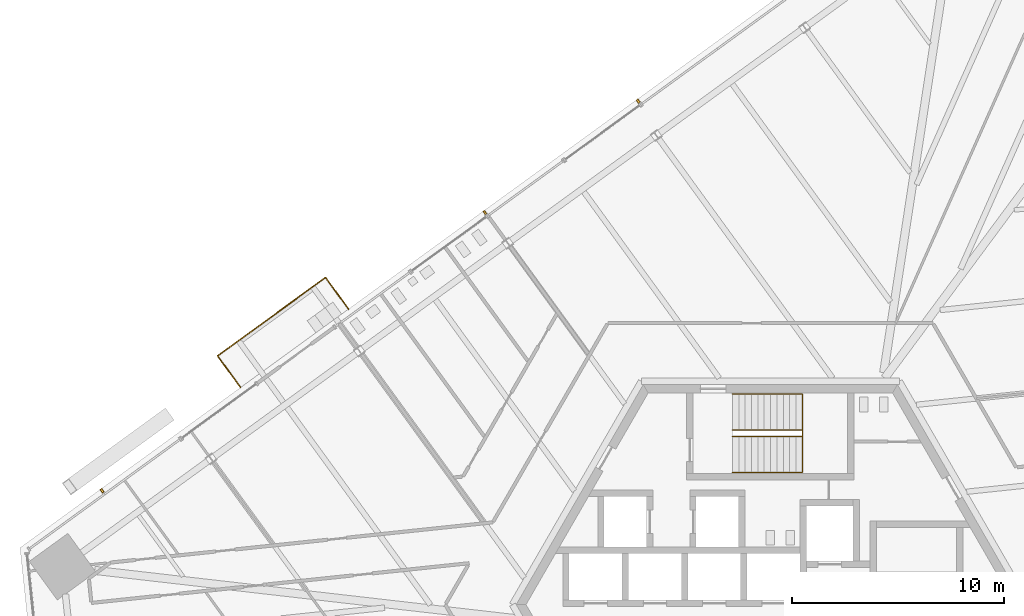
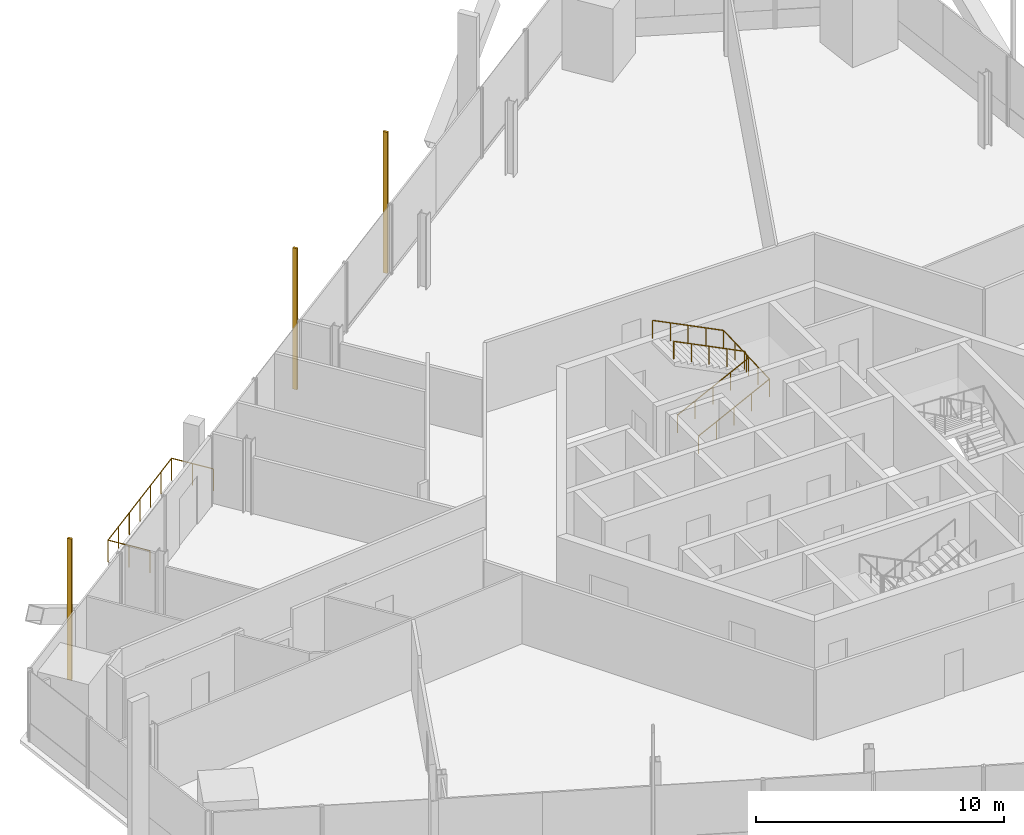
# One storey, part 17 of 21: 3 railings, 3 shading devices.
"""IFC4 building model written with IfcOpenShell, lengths in metres."""

from ifc_helpers import new_model, si_unit, direction, frame, origin, origin_2d, place, context, subcontext, project, spatial, rectangle, circle, extrude, source, transform, mapped, material, type_object, element, save


model = new_model("IFC4")

# Units and contexts
model_context = context("Model", 3, precision=1e-05, world=origin(), true_north=direction((0.0, 1.0)))
body_context = subcontext(model_context, "Body", "Model", "MODEL_VIEW")
ifc_project = project(units=[si_unit("LENGTHUNIT", "METRE"), si_unit("AREAUNIT", "SQUARE_METRE"), si_unit("VOLUMEUNIT", "CUBIC_METRE"), si_unit("PLANEANGLEUNIT", "RADIAN"), si_unit("MASSUNIT", "GRAM", prefix="KILO")], contexts=[model_context])

# Site, building, storey
site_placement = place(None, origin())
site = spatial("IfcSite", under=ifc_project, at=site_placement, CompositionType="ELEMENT")
building_placement = place(site_placement, origin())
building = spatial("IfcBuilding", under=site, at=building_placement, Name="Triune Harvest Tower", CompositionType="ELEMENT")
storey_placement = place(building_placement, frame((0.0, 0.0, 87.300048828125)))
storey = spatial("IfcBuildingStorey", under=building, at=storey_placement, Name="L21", CompositionType="ELEMENT", Elevation=87.300048828125)

# Railings
ifc_material_1 = material(Name="Stainless steel AISI 316", Category="steel")
railing_type_1 = type_object("IfcRailingType", Name="Stair handrail", PredefinedType="HANDRAIL", material=ifc_material_1)
shared_shape_1 = source(origin(), body_context, "Body", "SweptSolid", [
    extrude(circle(Radius=0.02392578125, at=origin_2d()), frame((0.0, 0.0, 0.8759765625), z_axis=(0.894413956696, 0.0, 0.447240063129), x_axis=(0.0, 1.0, 0.0)), (0.0, 0.0, 1.0), 3.689697265625),
    extrude(circle(Radius=0.02392578125, at=origin_2d()), frame((3.300048828125, 0.0, 2.52587890625), z_axis=(0.0, 0.999180289278, 0.040481471304), x_axis=(-1.0, 0.0, 0.0)), (0.0, 0.0, 1.0), 3.702880859375),
    extrude(circle(Radius=0.02392578125, at=origin_2d()), frame((3.300048828125, 3.699951171875, 2.67578125), z_axis=(-0.894440424912, 0.0, 0.447187126696), x_axis=(0.0, -1.0, 0.0)), (0.0, 0.0, 1.0), 3.689453125),
    extrude(circle(Radius=0.02099609375, at=origin_2d()), origin(), (0.0, 0.0, 1.0), 0.851806640625),
    extrude(circle(Radius=0.02099609375, at=origin_2d()), frame((0.824951171875, 0.0, 0.41259765625)), (0.0, 0.0, 1.0), 0.851806640625),
    extrude(circle(Radius=0.02099609375, at=origin_2d()), frame((1.64990234375, 0.0, 0.8251953125)), (0.0, 0.0, 1.0), 0.851806640625),
    extrude(circle(Radius=0.02099609375, at=origin_2d()), frame((2.47509765625, 0.0, 1.237548828125)), (0.0, 0.0, 1.0), 0.851806640625),
    extrude(circle(Radius=0.02099609375, at=origin_2d()), frame((3.300048828125, 0.0, 1.650146484375)), (0.0, 0.0, 1.0), 0.851806640625),
    extrude(circle(Radius=0.02099609375, at=origin_2d()), frame((3.300048828125, 0.925048828125, 1.6875)), (0.0, 0.0, 1.0), 0.851806640625),
    extrude(circle(Radius=0.02099609375, at=origin_2d()), frame((3.300048828125, 1.85009765625, 1.72509765625)), (0.0, 0.0, 1.0), 0.851806640625),
    extrude(circle(Radius=0.02099609375, at=origin_2d()), frame((3.300048828125, 2.77490234375, 1.7626953125)), (0.0, 0.0, 1.0), 0.851806640625),
    extrude(circle(Radius=0.02099609375, at=origin_2d()), frame((3.300048828125, 3.699951171875, 1.800048828125)), (0.0, 0.0, 1.0), 0.851806640625),
    extrude(circle(Radius=0.02099609375, at=origin_2d()), frame((2.47509765625, 3.699951171875, 2.21240234375)), (0.0, 0.0, 1.0), 0.851806640625),
    extrude(circle(Radius=0.02099609375, at=origin_2d()), frame((1.64990234375, 3.699951171875, 2.625)), (0.0, 0.0, 1.0), 0.851806640625),
    extrude(circle(Radius=0.02099609375, at=origin_2d()), frame((0.824951171875, 3.699951171875, 3.03759765625)), (0.0, 0.0, 1.0), 0.851806640625),
    extrude(circle(Radius=0.02099609375, at=origin_2d()), frame((0.0, 3.699951171875, 3.449951171875)), (0.0, 0.0, 1.0), 0.851806640625),
])
railing_1_placement = place(storey_placement, frame((-1.7900390625, 6.239990234375, 0.14990234375)))
element("IfcRailing", 1, at=railing_1_placement, inside=storey, type_object=railing_type_1, Name="Exit stair north wall handrail", PredefinedType="HANDRAIL", context=body_context, shape_type="MappedRepresentation", body=[
    mapped(shared_shape_1, transform((0.0, 0.0, 0.0), scale=1.0)),
])
shared_shape_2 = source(origin(), body_context, "Body", "SweptSolid", [
    extrude(circle(Radius=0.02392578125, at=origin_2d()), frame((0.0, 0.0, 0.8759765625), z_axis=(0.894413956696, 0.0, 0.447240063129), x_axis=(0.0, 1.0, 0.0)), (0.0, 0.0, 1.0), 3.689697265625),
    extrude(circle(Radius=0.02392578125, at=origin_2d()), frame((3.300048828125, 0.0, 2.52587890625), z_axis=(0.0, 0.894572720946, 0.446922417137), x_axis=(-1.0, 0.0, 0.0)), (0.0, 0.0, 1.0), 0.33544921875),
    extrude(circle(Radius=0.02392578125, at=origin_2d()), frame((3.300048828125, 0.300048828125, 2.67578125), z_axis=(-0.894440424912, 0.0, 0.447187126696), x_axis=(0.0, -1.0, 0.0)), (0.0, 0.0, 1.0), 3.689453125),
    extrude(circle(Radius=0.02099609375, at=origin_2d()), origin(), (0.0, 0.0, 1.0), 0.851806640625),
    extrude(circle(Radius=0.02099609375, at=origin_2d()), frame((0.824951171875, 0.0, 0.41259765625)), (0.0, 0.0, 1.0), 0.851806640625),
    extrude(circle(Radius=0.02099609375, at=origin_2d()), frame((1.64990234375, 0.0, 0.8251953125)), (0.0, 0.0, 1.0), 0.851806640625),
    extrude(circle(Radius=0.02099609375, at=origin_2d()), frame((2.47509765625, 0.0, 1.237548828125)), (0.0, 0.0, 1.0), 0.851806640625),
    extrude(circle(Radius=0.02099609375, at=origin_2d()), frame((3.300048828125, 0.0, 1.650146484375)), (0.0, 0.0, 1.0), 0.851806640625),
    extrude(circle(Radius=0.02099609375, at=origin_2d()), frame((3.300048828125, 0.300048828125, 1.800048828125)), (0.0, 0.0, 1.0), 0.851806640625),
    extrude(circle(Radius=0.02099609375, at=origin_2d()), frame((2.47509765625, 0.300048828125, 2.21240234375)), (0.0, 0.0, 1.0), 0.851806640625),
    extrude(circle(Radius=0.02099609375, at=origin_2d()), frame((1.64990234375, 0.300048828125, 2.625)), (0.0, 0.0, 1.0), 0.851806640625),
    extrude(circle(Radius=0.02099609375, at=origin_2d()), frame((0.824951171875, 0.300048828125, 3.03759765625)), (0.0, 0.0, 1.0), 0.851806640625),
    extrude(circle(Radius=0.02099609375, at=origin_2d()), frame((0.0, 0.300048828125, 3.449951171875)), (0.0, 0.0, 1.0), 0.851806640625),
])
railing_2_placement = place(storey_placement, frame((-1.7900390625, 7.93994140625, 0.14990234375)))
element("IfcRailing", 2, at=railing_2_placement, inside=storey, type_object=railing_type_1, Name="Exit stair north centre handrail", PredefinedType="HANDRAIL", context=body_context, shape_type="MappedRepresentation", body=[
    mapped(shared_shape_2, transform((0.0, 0.0, 0.0), scale=1.0)),
])
ifc_material_2 = material(Name="Glass", Category="glass")
railing_type_2 = type_object("IfcRailingType", Name="GD-2 balcony guard 1100", PredefinedType="GUARDRAIL", material=ifc_material_2)
shared_shape_3 = source(origin(), body_context, "Body", "SweptSolid", [
    extrude(circle(Radius=0.02392578125, at=origin_2d()), frame((0.0, 0.0, 1.076171875), z_axis=(-0.587754546485, 0.809039302559, 0.0), x_axis=(-0.809039302559, -0.587754546485, 0.0)), (0.0, 0.0, 1.0), 1.8447265625),
    extrude(circle(Radius=0.02392578125, at=origin_2d()), frame((-1.084228515625, 1.492431640625, 1.076171875), z_axis=(-0.809029173317, -0.587768489052, 0.0), x_axis=(0.587768489052, -0.809029173317, 0.0)), (0.0, 0.0, 1.0), 6.301513671875),
    extrude(circle(Radius=0.02392578125, at=origin_2d()), frame((-6.182373046875, -2.21142578125, 1.076171875), z_axis=(0.587754546485, -0.809039302559, 0.0), x_axis=(0.809039302559, 0.587754546485, 0.0)), (0.0, 0.0, 1.0), 1.8447265625),
    extrude(circle(Radius=0.02099609375, at=origin_2d()), origin(), (0.0, 0.0, 1.0), 1.052001953125),
    extrude(circle(Radius=0.02099609375, at=origin_2d()), frame((-0.5419921875, 0.74609375, 0.0)), (0.0, 0.0, 1.0), 1.052001953125),
    extrude(circle(Radius=0.02099609375, at=origin_2d()), frame((-1.084228515625, 1.492431640625, 0.0)), (0.0, 0.0, 1.0), 1.052001953125),
    extrude(circle(Radius=0.02099609375, at=origin_2d()), frame((-1.933837890625, 0.875, 0.0)), (0.0, 0.0, 1.0), 1.052001953125),
    extrude(circle(Radius=0.02099609375, at=origin_2d()), frame((-2.78369140625, 0.2578125, 0.0)), (0.0, 0.0, 1.0), 1.052001953125),
    extrude(circle(Radius=0.02099609375, at=origin_2d()), frame((-3.63330078125, -0.359375, 0.0)), (0.0, 0.0, 1.0), 1.052001953125),
    extrude(circle(Radius=0.02099609375, at=origin_2d()), frame((-4.48291015625, -0.976806640625, 0.0)), (0.0, 0.0, 1.0), 1.052001953125),
    extrude(circle(Radius=0.02099609375, at=origin_2d()), frame((-5.332763671875, -1.59423828125, 0.0)), (0.0, 0.0, 1.0), 1.052001953125),
    extrude(circle(Radius=0.02099609375, at=origin_2d()), frame((-6.182373046875, -2.21142578125, 0.0)), (0.0, 0.0, 1.0), 1.052001953125),
    extrude(circle(Radius=0.02099609375, at=origin_2d()), frame((-5.64013671875, -2.95751953125, 0.0)), (0.0, 0.0, 1.0), 1.052001953125),
    extrude(circle(Radius=0.02099609375, at=origin_2d()), frame((-5.09814453125, -3.703857421875, 0.0)), (0.0, 0.0, 1.0), 1.052001953125),
])
railing_3_placement = place(storey_placement, frame((-19.9189453125, 13.954833984375, 0.0)))
element("IfcRailing", 3, at=railing_3_placement, inside=storey, type_object=railing_type_2, Name="Balcony guard B2-F3 L21.9", PredefinedType="GUARDRAIL", context=body_context, shape_type="MappedRepresentation", body=[
    mapped(shared_shape_3, transform((0.0, 0.0, 0.0), scale=1.0)),
])

# Shading devices
ifc_material_3 = material(Name="Aluminium bronze anodised", Category="aluminium")
shared_shape_4 = source(origin(), body_context, "Body", "SweptSolid", [
    extrude(rectangle(XDim=0.10009765625, YDim=0.199951171875, at=origin_2d()), origin(), (0.0, 0.0, 1.0), 6.949951171875),
])
for number, where, z_axis, x_axis, name in (
    (4, (-6.237548828125, 23.771240234375, 0.0), (0.0, 0.0, 1.0), (-0.809017013446, -0.587785226043, 0.0), "FN-1 fin B2-F3.5 L21"),
    (5, (-13.47705078125, 18.511474609375, 0.0), (0.0, 0.0, 1.0), (-0.809017013446, -0.587785226043, 0.0), "FN-1 fin B2-F3.7 L21"),
    (6, (-31.554931640625, 5.377197265625, 0.0), (0.0, 0.0, 1.0), (-0.809017013446, -0.587785226043, 0.0), "FN-1 fin B2-F3.12 L21"),
):
    element("IfcShadingDevice", number, at=place(storey_placement, frame(where, z_axis=z_axis, x_axis=x_axis)), inside=storey, material=ifc_material_3, Name=name, ObjectType="FIN", PredefinedType="USERDEFINED", context=body_context, shape_type="MappedRepresentation", body=[
        mapped(shared_shape_4, transform((0.0, 0.0, 0.0), scale=1.0)),
    ])

save(model, "model.ifc")
